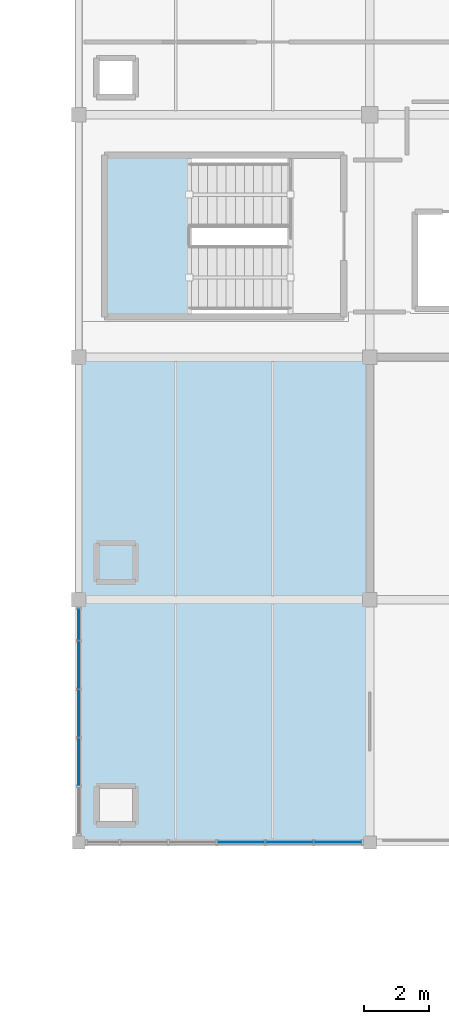
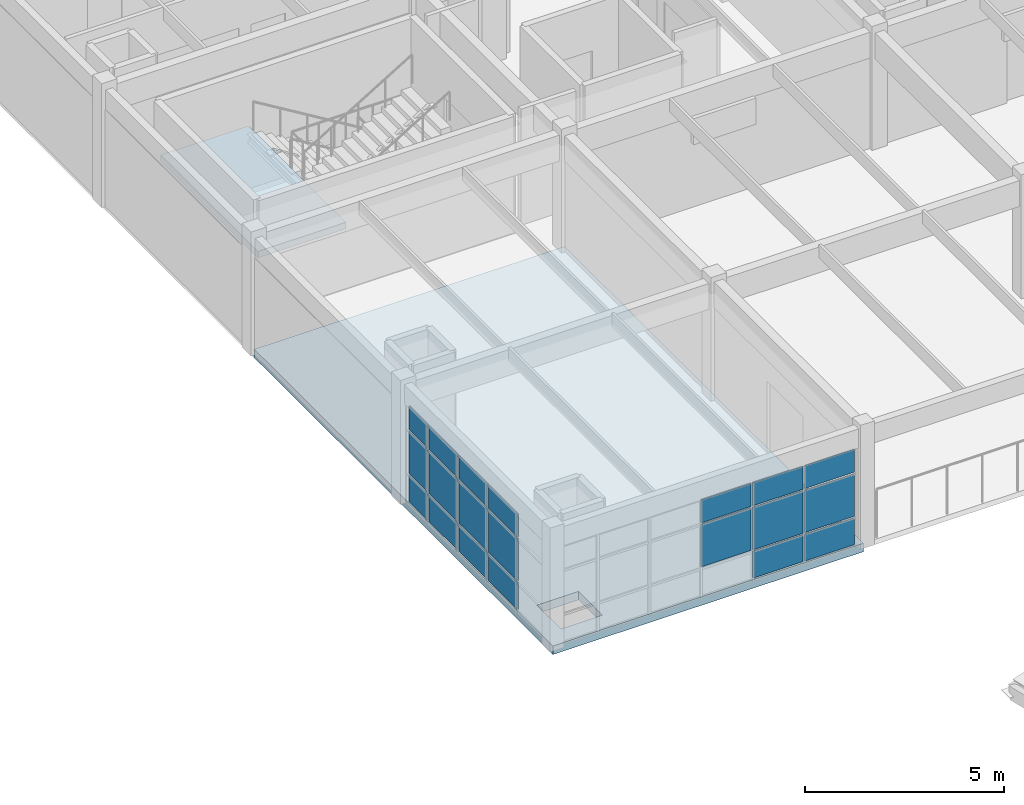
# One storey, part 53 of 81: 20 plates, 2 slabs, 3 elements without a shape of their own.
"""IFC4 building model written with IfcOpenShell, lengths in metres."""

from ifc_helpers import new_model, si_unit, direction, frame, origin, origin_2d, place, context, subcontext, project, spatial, polyline, rectangle, outline, extrude, material, layer, layer_set, type_object, element, aggregate, save


model = new_model("IFC4")

# Units and contexts
model_context = context("Model", 3, precision=1e-05, world=origin(), true_north=direction((0.0, 1.0)))
body_context = subcontext(model_context, "Body", "Model", "MODEL_VIEW")
ifc_project = project(units=[si_unit("LENGTHUNIT", "METRE"), si_unit("AREAUNIT", "SQUARE_METRE"), si_unit("VOLUMEUNIT", "CUBIC_METRE"), si_unit("PLANEANGLEUNIT", "RADIAN"), si_unit("MASSUNIT", "GRAM", prefix="KILO")], contexts=[model_context])

# Site, building, storey
site_placement = place(None, origin())
site = spatial("IfcSite", under=ifc_project, at=site_placement, CompositionType="ELEMENT")
building_placement = place(site_placement, origin())
building = spatial("IfcBuilding", under=site, at=building_placement, Name="Marnridge Secondary College", CompositionType="ELEMENT")
storey_placement = place(building_placement, frame((0.0, 0.0, 8.5)))
storey = spatial("IfcBuildingStorey", under=building, at=storey_placement, Name="L02", CompositionType="ELEMENT", Elevation=8.5)

# Curtain wall, plates
ifc_material_1 = material(Name="Thermally broken aluminium and low-E glazing", Category="aluminium")
ifc_layer_1 = layer(ifc_material_1, 0.159912109375)
ifc_layer_set_1 = layer_set([ifc_layer_1], Name="CW-MOD-1500")
curtain_wall_type = type_object("IfcCurtainWallType", Name="CW-MOD-1500", PredefinedType="NOTDEFINED", material=ifc_layer_set_1)
curtain_wall_1_placement = place(storey_placement, origin())
curtain_wall_1 = element("IfcCurtainWall", 1, at=curtain_wall_1_placement, inside=storey, type_object=curtain_wall_type, Name="Unitised curtain wall CW-L02-081", PredefinedType="NOTDEFINED")
ifc_material_2 = material(Name="Double-glazed low-E argon unit", Category="glass")
ifc_layer_2 = layer(ifc_material_2, 0.028076171875)
ifc_layer_set_2 = layer_set([ifc_layer_2], Name="CWP-GLZ28")
plate_type = type_object("IfcPlateType", Name="CWP-GLZ28", PredefinedType="CURTAIN_PANEL", material=ifc_layer_set_2)
plate_1_placement = place(storey_placement, frame((62.01611328125, 37.5, 0.06005859375), z_axis=(0.0, 0.0, 1.0), x_axis=(-1.0, 0.0, 0.0)))
plate_1 = element("IfcPlate", 2, at=plate_1_placement, type_object=plate_type, Name="CW-L02-081 panel 1.1", PredefinedType="CURTAIN_PANEL", context=body_context, shape_type="SweptSolid", body=[
    extrude(rectangle(XDim=1.43994140625, YDim=0.028076171875, at=origin_2d()), origin(), (0.0, 0.0, 1.0), 0.81005859375),
])
plate_2_placement = place(storey_placement, frame((62.01611328125, 37.5, 0.929931640625), z_axis=(0.0, 0.0, 1.0), x_axis=(-1.0, 0.0, 0.0)))
plate_2 = element("IfcPlate", 3, at=plate_2_placement, type_object=plate_type, Name="CW-L02-081 panel 1.2", PredefinedType="CURTAIN_PANEL", context=body_context, shape_type="SweptSolid", body=[
    extrude(rectangle(XDim=1.43994140625, YDim=0.028076171875, at=origin_2d()), origin(), (0.0, 0.0, 1.0), 1.2900390625),
])
plate_3_placement = place(storey_placement, frame((62.01611328125, 37.5, 2.280029296875), z_axis=(0.0, 0.0, 1.0), x_axis=(-1.0, 0.0, 0.0)))
plate_3 = element("IfcPlate", 4, at=plate_3_placement, type_object=plate_type, Name="CW-L02-081 panel 1.3", PredefinedType="CURTAIN_PANEL", context=body_context, shape_type="SweptSolid", body=[
    extrude(rectangle(XDim=1.43994140625, YDim=0.028076171875, at=origin_2d()), origin(), (0.0, 0.0, 1.0), 0.70703125),
])
plate_4_placement = place(storey_placement, frame((60.51611328125, 37.5, 0.06005859375), z_axis=(0.0, 0.0, 1.0), x_axis=(-1.0, 0.0, 0.0)))
plate_4 = element("IfcPlate", 5, at=plate_4_placement, type_object=plate_type, Name="CW-L02-081 panel 2.1", PredefinedType="CURTAIN_PANEL", context=body_context, shape_type="SweptSolid", body=[
    extrude(rectangle(XDim=1.43994140625, YDim=0.028076171875, at=origin_2d()), origin(), (0.0, 0.0, 1.0), 0.81005859375),
])
plate_5_placement = place(storey_placement, frame((60.51611328125, 37.5, 0.929931640625), z_axis=(0.0, 0.0, 1.0), x_axis=(-1.0, 0.0, 0.0)))
plate_5 = element("IfcPlate", 6, at=plate_5_placement, type_object=plate_type, Name="CW-L02-081 panel 2.2", PredefinedType="CURTAIN_PANEL", context=body_context, shape_type="SweptSolid", body=[
    extrude(rectangle(XDim=1.43994140625, YDim=0.028076171875, at=origin_2d()), origin(), (0.0, 0.0, 1.0), 1.2900390625),
])
plate_6_placement = place(storey_placement, frame((60.51611328125, 37.5, 2.280029296875), z_axis=(0.0, 0.0, 1.0), x_axis=(-1.0, 0.0, 0.0)))
plate_6 = element("IfcPlate", 7, at=plate_6_placement, type_object=plate_type, Name="CW-L02-081 panel 2.3", PredefinedType="CURTAIN_PANEL", context=body_context, shape_type="SweptSolid", body=[
    extrude(rectangle(XDim=1.43994140625, YDim=0.028076171875, at=origin_2d()), origin(), (0.0, 0.0, 1.0), 0.70703125),
])
plate_7_placement = place(storey_placement, frame((59.01611328125, 37.5, 0.929931640625), z_axis=(0.0, 0.0, 1.0), x_axis=(-1.0, 0.0, 0.0)))
plate_7 = element("IfcPlate", 8, at=plate_7_placement, type_object=plate_type, Name="CW-L02-081 panel 3.2", PredefinedType="CURTAIN_PANEL", context=body_context, shape_type="SweptSolid", body=[
    extrude(rectangle(XDim=1.43994140625, YDim=0.028076171875, at=origin_2d()), origin(), (0.0, 0.0, 1.0), 1.2900390625),
])
plate_8_placement = place(storey_placement, frame((59.01611328125, 37.5, 2.280029296875), z_axis=(0.0, 0.0, 1.0), x_axis=(-1.0, 0.0, 0.0)))
plate_8 = element("IfcPlate", 9, at=plate_8_placement, type_object=plate_type, Name="CW-L02-081 panel 3.3", PredefinedType="CURTAIN_PANEL", context=body_context, shape_type="SweptSolid", body=[
    extrude(rectangle(XDim=1.43994140625, YDim=0.028076171875, at=origin_2d()), origin(), (0.0, 0.0, 1.0), 0.70703125),
])
aggregate(curtain_wall_1, [plate_1, plate_2, plate_3, plate_4, plate_5, plate_6, plate_7, plate_8])

curtain_wall_2_placement = place(storey_placement, origin())
curtain_wall_2 = element("IfcCurtainWall", 10, at=curtain_wall_2_placement, inside=storey, type_object=curtain_wall_type, Name="Unitised curtain wall CW-L02-082", PredefinedType="NOTDEFINED")
plate_9_placement = place(storey_placement, frame((54.0, 39.98388671875, 0.06005859375), z_axis=(0.0, 0.0, 1.0), x_axis=(0.0, 1.0, 0.0)))
plate_9 = element("IfcPlate", 11, at=plate_9_placement, type_object=plate_type, Name="CW-L02-082 panel 2.1", PredefinedType="CURTAIN_PANEL", context=body_context, shape_type="SweptSolid", body=[
    extrude(rectangle(XDim=1.43994140625, YDim=0.028076171875, at=origin_2d()), origin(), (0.0, 0.0, 1.0), 0.81005859375),
])
plate_10_placement = place(storey_placement, frame((54.0, 39.98388671875, 0.929931640625), z_axis=(0.0, 0.0, 1.0), x_axis=(0.0, 1.0, 0.0)))
plate_10 = element("IfcPlate", 12, at=plate_10_placement, type_object=plate_type, Name="CW-L02-082 panel 2.2", PredefinedType="CURTAIN_PANEL", context=body_context, shape_type="SweptSolid", body=[
    extrude(rectangle(XDim=1.43994140625, YDim=0.028076171875, at=origin_2d()), origin(), (0.0, 0.0, 1.0), 1.2900390625),
])
plate_11_placement = place(storey_placement, frame((54.0, 39.98388671875, 2.280029296875), z_axis=(0.0, 0.0, 1.0), x_axis=(0.0, 1.0, 0.0)))
plate_11 = element("IfcPlate", 13, at=plate_11_placement, type_object=plate_type, Name="CW-L02-082 panel 2.3", PredefinedType="CURTAIN_PANEL", context=body_context, shape_type="SweptSolid", body=[
    extrude(rectangle(XDim=1.43994140625, YDim=0.028076171875, at=origin_2d()), origin(), (0.0, 0.0, 1.0), 0.70703125),
])
plate_12_placement = place(storey_placement, frame((54.0, 41.48388671875, 0.06005859375), z_axis=(0.0, 0.0, 1.0), x_axis=(0.0, 1.0, 0.0)))
plate_12 = element("IfcPlate", 14, at=plate_12_placement, type_object=plate_type, Name="CW-L02-082 panel 3.1", PredefinedType="CURTAIN_PANEL", context=body_context, shape_type="SweptSolid", body=[
    extrude(rectangle(XDim=1.43994140625, YDim=0.028076171875, at=origin_2d()), origin(), (0.0, 0.0, 1.0), 0.81005859375),
])
plate_13_placement = place(storey_placement, frame((54.0, 41.48388671875, 0.929931640625), z_axis=(0.0, 0.0, 1.0), x_axis=(0.0, 1.0, 0.0)))
plate_13 = element("IfcPlate", 15, at=plate_13_placement, type_object=plate_type, Name="CW-L02-082 panel 3.2", PredefinedType="CURTAIN_PANEL", context=body_context, shape_type="SweptSolid", body=[
    extrude(rectangle(XDim=1.43994140625, YDim=0.028076171875, at=origin_2d()), origin(), (0.0, 0.0, 1.0), 1.2900390625),
])
plate_14_placement = place(storey_placement, frame((54.0, 41.48388671875, 2.280029296875), z_axis=(0.0, 0.0, 1.0), x_axis=(0.0, 1.0, 0.0)))
plate_14 = element("IfcPlate", 16, at=plate_14_placement, type_object=plate_type, Name="CW-L02-082 panel 3.3", PredefinedType="CURTAIN_PANEL", context=body_context, shape_type="SweptSolid", body=[
    extrude(rectangle(XDim=1.43994140625, YDim=0.028076171875, at=origin_2d()), origin(), (0.0, 0.0, 1.0), 0.70703125),
])
plate_15_placement = place(storey_placement, frame((54.0, 42.98388671875, 0.06005859375), z_axis=(0.0, 0.0, 1.0), x_axis=(0.0, 1.0, 0.0)))
plate_15 = element("IfcPlate", 17, at=plate_15_placement, type_object=plate_type, Name="CW-L02-082 panel 4.1", PredefinedType="CURTAIN_PANEL", context=body_context, shape_type="SweptSolid", body=[
    extrude(rectangle(XDim=1.43994140625, YDim=0.028076171875, at=origin_2d()), origin(), (0.0, 0.0, 1.0), 0.81005859375),
])
plate_16_placement = place(storey_placement, frame((54.0, 42.98388671875, 0.929931640625), z_axis=(0.0, 0.0, 1.0), x_axis=(0.0, 1.0, 0.0)))
plate_16 = element("IfcPlate", 18, at=plate_16_placement, type_object=plate_type, Name="CW-L02-082 panel 4.2", PredefinedType="CURTAIN_PANEL", context=body_context, shape_type="SweptSolid", body=[
    extrude(rectangle(XDim=1.43994140625, YDim=0.028076171875, at=origin_2d()), origin(), (0.0, 0.0, 1.0), 1.2900390625),
])
plate_17_placement = place(storey_placement, frame((54.0, 42.98388671875, 2.280029296875), z_axis=(0.0, 0.0, 1.0), x_axis=(0.0, 1.0, 0.0)))
plate_17 = element("IfcPlate", 19, at=plate_17_placement, type_object=plate_type, Name="CW-L02-082 panel 4.3", PredefinedType="CURTAIN_PANEL", context=body_context, shape_type="SweptSolid", body=[
    extrude(rectangle(XDim=1.43994140625, YDim=0.028076171875, at=origin_2d()), origin(), (0.0, 0.0, 1.0), 0.70703125),
])
plate_18_placement = place(storey_placement, frame((54.0, 44.237548828125, 0.06005859375), z_axis=(0.0, 0.0, 1.0), x_axis=(0.0, 1.0, 0.0)))
plate_18 = element("IfcPlate", 20, at=plate_18_placement, type_object=plate_type, Name="CW-L02-082 panel 5.1", PredefinedType="CURTAIN_PANEL", context=body_context, shape_type="SweptSolid", body=[
    extrude(rectangle(XDim=0.947021484375, YDim=0.028076171875, at=origin_2d()), origin(), (0.0, 0.0, 1.0), 0.81005859375),
])
plate_19_placement = place(storey_placement, frame((54.0, 44.237548828125, 0.929931640625), z_axis=(0.0, 0.0, 1.0), x_axis=(0.0, 1.0, 0.0)))
plate_19 = element("IfcPlate", 21, at=plate_19_placement, type_object=plate_type, Name="CW-L02-082 panel 5.2", PredefinedType="CURTAIN_PANEL", context=body_context, shape_type="SweptSolid", body=[
    extrude(rectangle(XDim=0.947021484375, YDim=0.028076171875, at=origin_2d()), origin(), (0.0, 0.0, 1.0), 1.2900390625),
])
plate_20_placement = place(storey_placement, frame((54.0, 44.237548828125, 2.280029296875), z_axis=(0.0, 0.0, 1.0), x_axis=(0.0, 1.0, 0.0)))
plate_20 = element("IfcPlate", 22, at=plate_20_placement, type_object=plate_type, Name="CW-L02-082 panel 5.3", PredefinedType="CURTAIN_PANEL", context=body_context, shape_type="SweptSolid", body=[
    extrude(rectangle(XDim=0.947021484375, YDim=0.028076171875, at=origin_2d()), origin(), (0.0, 0.0, 1.0), 0.70703125),
])
aggregate(curtain_wall_2, [plate_9, plate_10, plate_11, plate_12, plate_13, plate_14, plate_15, plate_16, plate_17, plate_18, plate_19, plate_20])

# Slab
ifc_material_3 = material(Name="Cross-laminated timber CL7", Category="wood")
ifc_layer_3 = layer(ifc_material_3, 0.260009765625)
ifc_layer_set_3 = layer_set([ifc_layer_3], Name="SL-CLT-260")
slab_type_1 = type_object("IfcSlabType", Name="SL-CLT-260", PredefinedType="FLOOR", material=ifc_layer_set_3)
slab_1_placement = place(storey_placement, frame((0.0, 0.0, -0.260009765625)))
element("IfcSlab", 23, at=slab_1_placement, inside=storey, type_object=slab_type_1, Name="Floor slab SL-L02-026", PredefinedType="FLOOR", context=body_context, shape_type="SweptSolid", body=[
    extrude(outline(polyline([(54.0, 52.5), (63.0, 52.5), (63.0, 37.5), (54.0, 37.5), (54.0, 52.5)]), holes=[polyline([(54.550048828125, 38.050048828125), (55.75, 38.050048828125), (55.75, 39.25), (54.550048828125, 39.25), (54.550048828125, 38.050048828125)])]), origin(), (0.0, 0.0, 1.0), 0.260009765625),
])

# Stair, slab
ifc_material_4 = material(Name="Concrete C40/50 (AS 3600 N40, 40 MPa)", Category="concrete")
stair_type = type_object("IfcStairType", Name="STC1", PredefinedType="HALF_TURN_STAIR", material=ifc_material_4)
stair_placement = place(storey_placement, origin())
stair = element("IfcStair", 24, at=stair_placement, inside=storey, type_object=stair_type, Name="Fire-isolated stair ST-01-L02", PredefinedType="HALF_TURN_STAIR")
ifc_material_5 = material(Name="Concrete C40/50 (AS 3600 N40, 40 MPa)", Category="concrete")
ifc_layer_4 = layer(ifc_material_5, 0.199951171875)
ifc_layer_set_4 = layer_set([ifc_layer_4], Name="SL-LAND-200")
slab_type_2 = type_object("IfcSlabType", Name="SL-LAND-200", PredefinedType="LANDING", material=ifc_layer_set_4)
slab_2_placement = place(storey_placement, frame((0.0, 0.0, 1.699951171875)))
slab_2 = element("IfcSlab", 25, at=slab_2_placement, type_object=slab_type_2, Name="ST-01-L02 landing 1", PredefinedType="LANDING", context=body_context, shape_type="SweptSolid", body=[
    extrude(outline(polyline([(54.860107421875, 53.81005859375), (57.4150390625, 53.81005859375), (57.4150390625, 58.68994140625), (54.860107421875, 58.68994140625), (54.860107421875, 53.81005859375)])), origin(), (0.0, 0.0, 1.0), 0.199951171875),
])
aggregate(stair, [slab_2])

save(model, "model.ifc")
